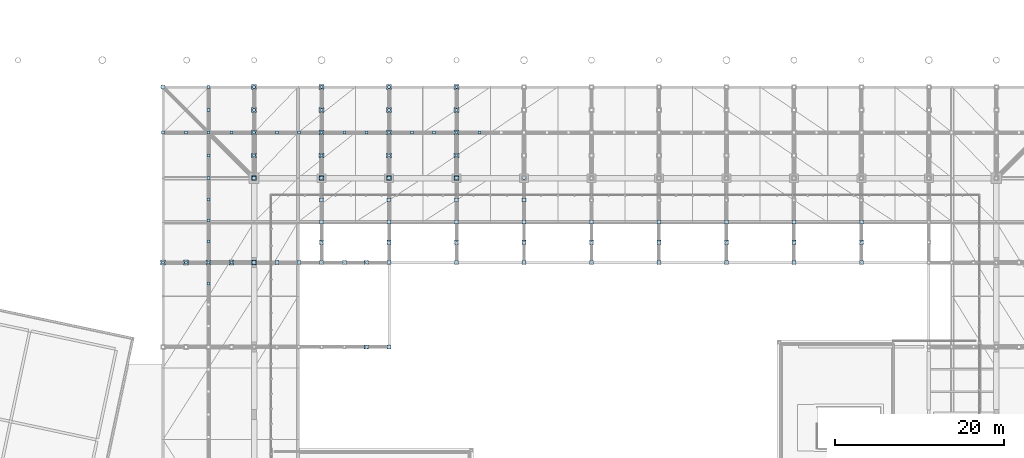
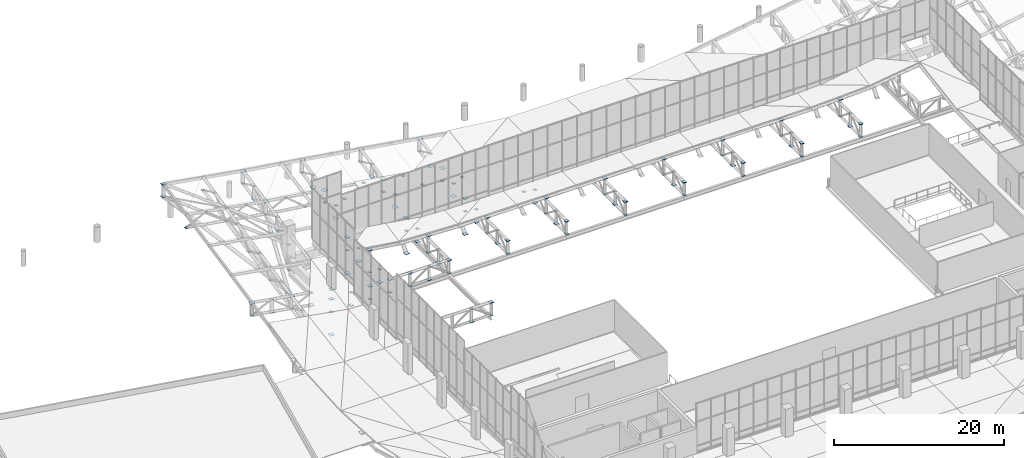
# One storey, part 117 of 137: 154 plates.
"""IFC4 building model written with IfcOpenShell, lengths in metres."""

from ifc_helpers import new_model, si_unit, direction, frame, origin, origin_2d, place, context, subcontext, project, spatial, rectangle, extrude, material, layer, layer_set, type_object, element, save


model = new_model("IFC4")

# Units and contexts
model_context = context("Model", 3, precision=1e-05, world=origin(), true_north=direction((0.0, 1.0)))
body_context = subcontext(model_context, "Body", "Model", "MODEL_VIEW")
ifc_project = project(units=[si_unit("LENGTHUNIT", "METRE"), si_unit("AREAUNIT", "SQUARE_METRE"), si_unit("VOLUMEUNIT", "CUBIC_METRE"), si_unit("PLANEANGLEUNIT", "RADIAN"), si_unit("MASSUNIT", "GRAM", prefix="KILO")], contexts=[model_context])

# Site, building, storey
site_placement = place(None, origin())
site = spatial("IfcSite", under=ifc_project, at=site_placement, CompositionType="ELEMENT")
building_placement = place(site_placement, origin())
building = spatial("IfcBuilding", under=site, at=building_placement, Name="Khorjan Park Terminus", CompositionType="ELEMENT")
storey_placement = place(building_placement, frame((0.0, 0.0, 11.4)))
storey = spatial("IfcBuildingStorey", under=building, at=storey_placement, Name="L02", CompositionType="ELEMENT", Elevation=11.4)

# Plates
ifc_material = material(Name="Steel S355", Category="steel")
ifc_layer_1 = layer(ifc_material, 0.022)
ifc_layer_set_1 = layer_set([ifc_layer_1], Name="Steel S355")
plate_type_1 = type_object("IfcPlateType", Name="PT-GUS-22", PredefinedType="SHEET", material=ifc_layer_set_1)
plate_1_placement = place(storey_placement, frame((48.0, 88.0, -0.061), z_axis=(0.0, 0.0, 1.0), x_axis=(1.0, 0.0, 0.0)))
element("IfcPlate", 1, at=plate_1_placement, inside=storey, type_object=plate_type_1, Name="Steel truss node cap plate NP-22 (RC2-GUS-END-0504)", PredefinedType="SHEET", context=body_context, shape_type="SweptSolid", body=[
    extrude(rectangle(XDim=0.49, YDim=0.49, at=origin_2d()), origin(), (0.0, 0.0, 1.0), 0.022),
])
for number, where, z_axis, x_axis, name in (
    (2, (56.0, 78.0, -1.931), (0.0, 0.0, 1.0), (1.0, 0.0, 0.0), "Steel truss node cap plate NP-22 (RC2-GUS-END-0521)"),
    (3, (56.0, 80.4, -0.061), (0.0, 0.0, 1.0), (1.0, 0.0, 0.0), "Steel truss node cap plate NP-22 (RC2-GUS-END-0522)"),
    (4, (56.0, 82.8, -1.931), (0.0, 0.0, 1.0), (1.0, 0.0, 0.0), "Steel truss node cap plate NP-22 (RC2-GUS-END-0523)"),
    (5, (56.0, 85.4, -0.061), (0.0, 0.0, 1.0), (1.0, 0.0, 0.0), "Steel truss node cap plate NP-22 (RC2-GUS-END-0524)"),
    (6, (56.0, 88.0, -1.931), (0.0, 0.0, 1.0), (1.0, 0.0, 0.0), "Steel truss node cap plate NP-22 (RC2-GUS-END-0525)"),
):
    element("IfcPlate", number, at=place(storey_placement, frame(where, z_axis=z_axis, x_axis=x_axis)), inside=storey, type_object=plate_type_1, Name=name, PredefinedType="SHEET", context=body_context, shape_type="SweptSolid", body=[
        extrude(rectangle(XDim=0.36, YDim=0.36, at=origin_2d()), origin(), (0.0, 0.0, 1.0), 0.022),
    ])
for number, where, z_axis, x_axis, name in (
    (7, (56.0, 78.0, -0.061), (0.0, 0.0, 1.0), (1.0, 0.0, 0.0), "Steel truss node cap plate NP-22 (RC2-GUS-END-0530)"),
    (8, (56.0, 80.4, -1.931), (0.0, 0.0, 1.0), (1.0, 0.0, 0.0), "Steel truss node cap plate NP-22 (RC2-GUS-END-0531)"),
    (9, (56.0, 82.8, 1.2795), (0.0, 0.0, 1.0), (1.0, 0.0, 0.0), "Steel truss node cap plate NP-22 (RC2-GUS-END-0532)"),
    (10, (56.0, 85.4, -1.931), (0.0, 0.0, 1.0), (1.0, 0.0, 0.0), "Steel truss node cap plate NP-22 (RC2-GUS-END-0533)"),
    (11, (56.0, 88.0, -0.061), (0.0, 0.0, 1.0), (1.0, 0.0, 0.0), "Steel truss node cap plate NP-22 (RC2-GUS-END-0534)"),
):
    element("IfcPlate", number, at=place(storey_placement, frame(where, z_axis=z_axis, x_axis=x_axis)), inside=storey, type_object=plate_type_1, Name=name, PredefinedType="SHEET", context=body_context, shape_type="SweptSolid", body=[
        extrude(rectangle(XDim=0.49, YDim=0.49, at=origin_2d()), origin(), (0.0, 0.0, 1.0), 0.022),
    ])
for number, where, z_axis, x_axis, name in (
    (12, (64.0, 78.0, -1.931), (0.0, 0.0, 1.0), (1.0, 0.0, 0.0), "Steel truss node cap plate NP-22 (RC2-GUS-END-0551)"),
    (13, (64.0, 80.4, -0.061), (0.0, 0.0, 1.0), (1.0, 0.0, 0.0), "Steel truss node cap plate NP-22 (RC2-GUS-END-0552)"),
    (14, (64.0, 82.8, -1.931), (0.0, 0.0, 1.0), (1.0, 0.0, 0.0), "Steel truss node cap plate NP-22 (RC2-GUS-END-0553)"),
    (15, (64.0, 85.4, -0.061), (0.0, 0.0, 1.0), (1.0, 0.0, 0.0), "Steel truss node cap plate NP-22 (RC2-GUS-END-0554)"),
    (16, (64.0, 88.0, -1.931), (0.0, 0.0, 1.0), (1.0, 0.0, 0.0), "Steel truss node cap plate NP-22 (RC2-GUS-END-0555)"),
):
    element("IfcPlate", number, at=place(storey_placement, frame(where, z_axis=z_axis, x_axis=x_axis)), inside=storey, type_object=plate_type_1, Name=name, PredefinedType="SHEET", context=body_context, shape_type="SweptSolid", body=[
        extrude(rectangle(XDim=0.36, YDim=0.36, at=origin_2d()), origin(), (0.0, 0.0, 1.0), 0.022),
    ])
for number, where, z_axis, x_axis, name in (
    (17, (64.0, 78.0, -0.061), (0.0, 0.0, 1.0), (1.0, 0.0, 0.0), "Steel truss node cap plate NP-22 (RC2-GUS-END-0560)"),
    (18, (64.0, 80.4, -1.931), (0.0, 0.0, 1.0), (1.0, 0.0, 0.0), "Steel truss node cap plate NP-22 (RC2-GUS-END-0561)"),
    (19, (64.0, 82.8, 0.5395), (0.0, 0.0, 1.0), (1.0, 0.0, 0.0), "Steel truss node cap plate NP-22 (RC2-GUS-END-0562)"),
    (20, (64.0, 85.4, -1.931), (0.0, 0.0, 1.0), (1.0, 0.0, 0.0), "Steel truss node cap plate NP-22 (RC2-GUS-END-0563)"),
    (21, (64.0, 88.0, -0.061), (0.0, 0.0, 1.0), (1.0, 0.0, 0.0), "Steel truss node cap plate NP-22 (RC2-GUS-END-0564)"),
):
    element("IfcPlate", number, at=place(storey_placement, frame(where, z_axis=z_axis, x_axis=x_axis)), inside=storey, type_object=plate_type_1, Name=name, PredefinedType="SHEET", context=body_context, shape_type="SweptSolid", body=[
        extrude(rectangle(XDim=0.49, YDim=0.49, at=origin_2d()), origin(), (0.0, 0.0, 1.0), 0.022),
    ])
for number, where, z_axis, x_axis, name in (
    (22, (72.0, 78.0, -1.931), (0.0, 0.0, 1.0), (1.0, 0.0, 0.0), "Steel truss node cap plate NP-22 (RC2-GUS-END-0589)"),
    (23, (72.0, 80.4, -0.061), (0.0, 0.0, 1.0), (1.0, 0.0, 0.0), "Steel truss node cap plate NP-22 (RC2-GUS-END-0590)"),
    (24, (72.0, 82.8, -1.931), (0.0, 0.0, 1.0), (1.0, 0.0, 0.0), "Steel truss node cap plate NP-22 (RC2-GUS-END-0591)"),
    (25, (72.0, 85.4, -0.061), (0.0, 0.0, 1.0), (1.0, 0.0, 0.0), "Steel truss node cap plate NP-22 (RC2-GUS-END-0592)"),
    (26, (72.0, 88.0, -1.931), (0.0, 0.0, 1.0), (1.0, 0.0, 0.0), "Steel truss node cap plate NP-22 (RC2-GUS-END-0593)"),
):
    element("IfcPlate", number, at=place(storey_placement, frame(where, z_axis=z_axis, x_axis=x_axis)), inside=storey, type_object=plate_type_1, Name=name, PredefinedType="SHEET", context=body_context, shape_type="SweptSolid", body=[
        extrude(rectangle(XDim=0.36, YDim=0.36, at=origin_2d()), origin(), (0.0, 0.0, 1.0), 0.022),
    ])
for number, where, z_axis, x_axis, name in (
    (27, (72.0, 78.0, -0.061), (0.0, 0.0, 1.0), (1.0, 0.0, 0.0), "Steel truss node cap plate NP-22 (RC2-GUS-END-0598)"),
    (28, (72.0, 80.4, -1.931), (0.0, 0.0, 1.0), (1.0, 0.0, 0.0), "Steel truss node cap plate NP-22 (RC2-GUS-END-0599)"),
    (29, (72.0, 82.8, 0.381), (0.0, 0.0, 1.0), (1.0, 0.0, 0.0), "Steel truss node cap plate NP-22 (RC2-GUS-END-0600)"),
    (30, (72.0, 85.4, -1.931), (0.0, 0.0, 1.0), (1.0, 0.0, 0.0), "Steel truss node cap plate NP-22 (RC2-GUS-END-0601)"),
    (31, (72.0, 88.0, -0.061), (0.0, 0.0, 1.0), (1.0, 0.0, 0.0), "Steel truss node cap plate NP-22 (RC2-GUS-END-0602)"),
):
    element("IfcPlate", number, at=place(storey_placement, frame(where, z_axis=z_axis, x_axis=x_axis)), inside=storey, type_object=plate_type_1, Name=name, PredefinedType="SHEET", context=body_context, shape_type="SweptSolid", body=[
        extrude(rectangle(XDim=0.49, YDim=0.49, at=origin_2d()), origin(), (0.0, 0.0, 1.0), 0.022),
    ])
for number, where, z_axis, x_axis, name in (
    (32, (80.0, 78.0, -1.931), (0.0, 0.0, 1.0), (1.0, 0.0, 0.0), "Steel truss node cap plate NP-22 (RC2-GUS-END-0627)"),
    (33, (80.0, 80.4, -0.061), (0.0, 0.0, 1.0), (1.0, 0.0, 0.0), "Steel truss node cap plate NP-22 (RC2-GUS-END-0628)"),
    (34, (80.0, 82.8, -1.931), (0.0, 0.0, 1.0), (1.0, 0.0, 0.0), "Steel truss node cap plate NP-22 (RC2-GUS-END-0629)"),
    (35, (80.0, 85.4, -0.061), (0.0, 0.0, 1.0), (1.0, 0.0, 0.0), "Steel truss node cap plate NP-22 (RC2-GUS-END-0630)"),
    (36, (80.0, 88.0, -1.931), (0.0, 0.0, 1.0), (1.0, 0.0, 0.0), "Steel truss node cap plate NP-22 (RC2-GUS-END-0631)"),
):
    element("IfcPlate", number, at=place(storey_placement, frame(where, z_axis=z_axis, x_axis=x_axis)), inside=storey, type_object=plate_type_1, Name=name, PredefinedType="SHEET", context=body_context, shape_type="SweptSolid", body=[
        extrude(rectangle(XDim=0.36, YDim=0.36, at=origin_2d()), origin(), (0.0, 0.0, 1.0), 0.022),
    ])
for number, where, z_axis, x_axis, name in (
    (37, (80.0, 78.0, -0.061), (0.0, 0.0, 1.0), (1.0, 0.0, 0.0), "Steel truss node cap plate NP-22 (RC2-GUS-END-0636)"),
    (38, (80.0, 80.4, -1.931), (0.0, 0.0, 1.0), (1.0, 0.0, 0.0), "Steel truss node cap plate NP-22 (RC2-GUS-END-0637)"),
    (39, (80.0, 82.8, 0.381), (0.0, 0.0, 1.0), (1.0, 0.0, 0.0), "Steel truss node cap plate NP-22 (RC2-GUS-END-0638)"),
    (40, (80.0, 85.4, -1.931), (0.0, 0.0, 1.0), (1.0, 0.0, 0.0), "Steel truss node cap plate NP-22 (RC2-GUS-END-0639)"),
):
    element("IfcPlate", number, at=place(storey_placement, frame(where, z_axis=z_axis, x_axis=x_axis)), inside=storey, type_object=plate_type_1, Name=name, PredefinedType="SHEET", context=body_context, shape_type="SweptSolid", body=[
        extrude(rectangle(XDim=0.49, YDim=0.49, at=origin_2d()), origin(), (0.0, 0.0, 1.0), 0.022),
    ])
for number, where, z_axis, x_axis, name in (
    (41, (88.0, 78.0, -1.931), (0.0, 0.0, 1.0), (1.0, 0.0, 0.0), "Steel truss node cap plate NP-22 (RC2-GUS-END-0665)"),
    (42, (88.0, 80.4, -0.061), (0.0, 0.0, 1.0), (1.0, 0.0, 0.0), "Steel truss node cap plate NP-22 (RC2-GUS-END-0666)"),
    (43, (88.0, 82.8, -1.931), (0.0, 0.0, 1.0), (1.0, 0.0, 0.0), "Steel truss node cap plate NP-22 (RC2-GUS-END-0667)"),
):
    element("IfcPlate", number, at=place(storey_placement, frame(where, z_axis=z_axis, x_axis=x_axis)), inside=storey, type_object=plate_type_1, Name=name, PredefinedType="SHEET", context=body_context, shape_type="SweptSolid", body=[
        extrude(rectangle(XDim=0.36, YDim=0.36, at=origin_2d()), origin(), (0.0, 0.0, 1.0), 0.022),
    ])
for number, where, z_axis, x_axis, name in (
    (44, (88.0, 78.0, -0.061), (0.0, 0.0, 1.0), (1.0, 0.0, 0.0), "Steel truss node cap plate NP-22 (RC2-GUS-END-0674)"),
    (45, (88.0, 80.4, -1.931), (0.0, 0.0, 1.0), (1.0, 0.0, 0.0), "Steel truss node cap plate NP-22 (RC2-GUS-END-0675)"),
    (46, (88.0, 82.8, 0.381), (0.0, 0.0, 1.0), (1.0, 0.0, 0.0), "Steel truss node cap plate NP-22 (RC2-GUS-END-0676)"),
):
    element("IfcPlate", number, at=place(storey_placement, frame(where, z_axis=z_axis, x_axis=x_axis)), inside=storey, type_object=plate_type_1, Name=name, PredefinedType="SHEET", context=body_context, shape_type="SweptSolid", body=[
        extrude(rectangle(XDim=0.49, YDim=0.49, at=origin_2d()), origin(), (0.0, 0.0, 1.0), 0.022),
    ])
for number, where, z_axis, x_axis, name in (
    (47, (96.0, 78.0, -1.931), (0.0, 0.0, 1.0), (1.0, 0.0, 0.0), "Steel truss node cap plate NP-22 (RC2-GUS-END-0703)"),
    (48, (96.0, 80.4, -0.061), (0.0, 0.0, 1.0), (1.0, 0.0, 0.0), "Steel truss node cap plate NP-22 (RC2-GUS-END-0704)"),
    (49, (96.0, 82.8, -1.931), (0.0, 0.0, 1.0), (1.0, 0.0, 0.0), "Steel truss node cap plate NP-22 (RC2-GUS-END-0705)"),
):
    element("IfcPlate", number, at=place(storey_placement, frame(where, z_axis=z_axis, x_axis=x_axis)), inside=storey, type_object=plate_type_1, Name=name, PredefinedType="SHEET", context=body_context, shape_type="SweptSolid", body=[
        extrude(rectangle(XDim=0.36, YDim=0.36, at=origin_2d()), origin(), (0.0, 0.0, 1.0), 0.022),
    ])
for number, where, z_axis, x_axis, name in (
    (50, (96.0, 78.0, -0.061), (0.0, 0.0, 1.0), (1.0, 0.0, 0.0), "Steel truss node cap plate NP-22 (RC2-GUS-END-0712)"),
    (51, (96.0, 80.4, -1.931), (0.0, 0.0, 1.0), (1.0, 0.0, 0.0), "Steel truss node cap plate NP-22 (RC2-GUS-END-0713)"),
    (52, (96.0, 82.8, 0.381), (0.0, 0.0, 1.0), (1.0, 0.0, 0.0), "Steel truss node cap plate NP-22 (RC2-GUS-END-0714)"),
):
    element("IfcPlate", number, at=place(storey_placement, frame(where, z_axis=z_axis, x_axis=x_axis)), inside=storey, type_object=plate_type_1, Name=name, PredefinedType="SHEET", context=body_context, shape_type="SweptSolid", body=[
        extrude(rectangle(XDim=0.49, YDim=0.49, at=origin_2d()), origin(), (0.0, 0.0, 1.0), 0.022),
    ])
for number, where, z_axis, x_axis, name in (
    (53, (104.0, 78.0, -1.931), (0.0, 0.0, 1.0), (1.0, 0.0, 0.0), "Steel truss node cap plate NP-22 (RC2-GUS-END-0741)"),
    (54, (104.0, 80.4, -0.061), (0.0, 0.0, 1.0), (1.0, 0.0, 0.0), "Steel truss node cap plate NP-22 (RC2-GUS-END-0742)"),
    (55, (104.0, 82.8, -1.931), (0.0, 0.0, 1.0), (1.0, 0.0, 0.0), "Steel truss node cap plate NP-22 (RC2-GUS-END-0743)"),
):
    element("IfcPlate", number, at=place(storey_placement, frame(where, z_axis=z_axis, x_axis=x_axis)), inside=storey, type_object=plate_type_1, Name=name, PredefinedType="SHEET", context=body_context, shape_type="SweptSolid", body=[
        extrude(rectangle(XDim=0.36, YDim=0.36, at=origin_2d()), origin(), (0.0, 0.0, 1.0), 0.022),
    ])
for number, where, z_axis, x_axis, name in (
    (56, (104.0, 78.0, -0.061), (0.0, 0.0, 1.0), (1.0, 0.0, 0.0), "Steel truss node cap plate NP-22 (RC2-GUS-END-0750)"),
    (57, (104.0, 80.4, -1.931), (0.0, 0.0, 1.0), (1.0, 0.0, 0.0), "Steel truss node cap plate NP-22 (RC2-GUS-END-0751)"),
    (58, (104.0, 82.8, 0.381), (0.0, 0.0, 1.0), (1.0, 0.0, 0.0), "Steel truss node cap plate NP-22 (RC2-GUS-END-0752)"),
):
    element("IfcPlate", number, at=place(storey_placement, frame(where, z_axis=z_axis, x_axis=x_axis)), inside=storey, type_object=plate_type_1, Name=name, PredefinedType="SHEET", context=body_context, shape_type="SweptSolid", body=[
        extrude(rectangle(XDim=0.49, YDim=0.49, at=origin_2d()), origin(), (0.0, 0.0, 1.0), 0.022),
    ])
for number, where, z_axis, x_axis, name in (
    (59, (112.0, 78.0, -1.931), (0.0, 0.0, 1.0), (1.0, 0.0, 0.0), "Steel truss node cap plate NP-22 (RC2-GUS-END-0779)"),
    (60, (112.0, 80.4, -0.061), (0.0, 0.0, 1.0), (1.0, 0.0, 0.0), "Steel truss node cap plate NP-22 (RC2-GUS-END-0780)"),
    (61, (112.0, 82.8, -1.931), (0.0, 0.0, 1.0), (1.0, 0.0, 0.0), "Steel truss node cap plate NP-22 (RC2-GUS-END-0781)"),
):
    element("IfcPlate", number, at=place(storey_placement, frame(where, z_axis=z_axis, x_axis=x_axis)), inside=storey, type_object=plate_type_1, Name=name, PredefinedType="SHEET", context=body_context, shape_type="SweptSolid", body=[
        extrude(rectangle(XDim=0.36, YDim=0.36, at=origin_2d()), origin(), (0.0, 0.0, 1.0), 0.022),
    ])
for number, where, z_axis, x_axis, name in (
    (62, (112.0, 78.0, -0.061), (0.0, 0.0, 1.0), (1.0, 0.0, 0.0), "Steel truss node cap plate NP-22 (RC2-GUS-END-0788)"),
    (63, (112.0, 80.4, -1.931), (0.0, 0.0, 1.0), (1.0, 0.0, 0.0), "Steel truss node cap plate NP-22 (RC2-GUS-END-0789)"),
    (64, (112.0, 82.8, 0.381), (0.0, 0.0, 1.0), (1.0, 0.0, 0.0), "Steel truss node cap plate NP-22 (RC2-GUS-END-0790)"),
):
    element("IfcPlate", number, at=place(storey_placement, frame(where, z_axis=z_axis, x_axis=x_axis)), inside=storey, type_object=plate_type_1, Name=name, PredefinedType="SHEET", context=body_context, shape_type="SweptSolid", body=[
        extrude(rectangle(XDim=0.49, YDim=0.49, at=origin_2d()), origin(), (0.0, 0.0, 1.0), 0.022),
    ])
for number, where, z_axis, x_axis, name in (
    (65, (120.0, 78.0, -1.931), (0.0, 0.0, 1.0), (1.0, 0.0, 0.0), "Steel truss node cap plate NP-22 (RC2-GUS-END-0809)"),
    (66, (120.0, 80.4, -0.061), (0.0, 0.0, 1.0), (1.0, 0.0, 0.0), "Steel truss node cap plate NP-22 (RC2-GUS-END-0810)"),
    (67, (120.0, 82.8, -1.931), (0.0, 0.0, 1.0), (1.0, 0.0, 0.0), "Steel truss node cap plate NP-22 (RC2-GUS-END-0811)"),
):
    element("IfcPlate", number, at=place(storey_placement, frame(where, z_axis=z_axis, x_axis=x_axis)), inside=storey, type_object=plate_type_1, Name=name, PredefinedType="SHEET", context=body_context, shape_type="SweptSolid", body=[
        extrude(rectangle(XDim=0.36, YDim=0.36, at=origin_2d()), origin(), (0.0, 0.0, 1.0), 0.022),
    ])
for number, where, z_axis, x_axis, name in (
    (68, (120.0, 78.0, -0.061), (0.0, 0.0, 1.0), (1.0, 0.0, 0.0), "Steel truss node cap plate NP-22 (RC2-GUS-END-0818)"),
    (69, (120.0, 80.4, -1.931), (0.0, 0.0, 1.0), (1.0, 0.0, 0.0), "Steel truss node cap plate NP-22 (RC2-GUS-END-0819)"),
    (70, (120.0, 82.8, 0.5395), (0.0, 0.0, 1.0), (1.0, 0.0, 0.0), "Steel truss node cap plate NP-22 (RC2-GUS-END-0820)"),
):
    element("IfcPlate", number, at=place(storey_placement, frame(where, z_axis=z_axis, x_axis=x_axis)), inside=storey, type_object=plate_type_1, Name=name, PredefinedType="SHEET", context=body_context, shape_type="SweptSolid", body=[
        extrude(rectangle(XDim=0.49, YDim=0.49, at=origin_2d()), origin(), (0.0, 0.0, 1.0), 0.022),
    ])
for number, where, z_axis, x_axis, name in (
    (71, (61.3, 68.0, -0.061), (0.0, 0.0, 1.0), (1.0, 0.0, 0.0), "Steel truss node cap plate NP-22 (RC2-GUS-END-1029)"),
    (72, (64.0, 68.0, -1.931), (0.0, 0.0, 1.0), (1.0, 0.0, 0.0), "Steel truss node cap plate NP-22 (RC2-GUS-END-1030)"),
):
    element("IfcPlate", number, at=place(storey_placement, frame(where, z_axis=z_axis, x_axis=x_axis)), inside=storey, type_object=plate_type_1, Name=name, PredefinedType="SHEET", context=body_context, shape_type="SweptSolid", body=[
        extrude(rectangle(XDim=0.36, YDim=0.36, at=origin_2d()), origin(), (0.0, 0.0, 1.0), 0.022),
    ])
for number, where, z_axis, x_axis, name in (
    (73, (61.3, 68.0, -1.931), (0.0, 0.0, 1.0), (1.0, 0.0, 0.0), "Steel truss node cap plate NP-22 (RC2-GUS-END-1040)"),
    (74, (64.0, 68.0, -0.061), (0.0, 0.0, 1.0), (1.0, 0.0, 0.0), "Steel truss node cap plate NP-22 (RC2-GUS-END-1041)"),
):
    element("IfcPlate", number, at=place(storey_placement, frame(where, z_axis=z_axis, x_axis=x_axis)), inside=storey, type_object=plate_type_1, Name=name, PredefinedType="SHEET", context=body_context, shape_type="SweptSolid", body=[
        extrude(rectangle(XDim=0.49, YDim=0.49, at=origin_2d()), origin(), (0.0, 0.0, 1.0), 0.022),
    ])
for number, where, z_axis, x_axis, name in (
    (75, (50.7, 78.0, -0.061), (0.0, 0.0, 1.0), (1.0, 0.0, 0.0), "Steel truss node cap plate NP-22 (RC2-GUS-END-1065)"),
    (76, (53.3, 78.0, -1.931), (0.0, 0.0, 1.0), (1.0, 0.0, 0.0), "Steel truss node cap plate NP-22 (RC2-GUS-END-1066)"),
    (77, (58.7, 78.0, -1.931), (0.0, 0.0, 1.0), (1.0, 0.0, 0.0), "Steel truss node cap plate NP-22 (RC2-GUS-END-1067)"),
    (78, (61.3, 78.0, -0.061), (0.0, 0.0, 1.0), (1.0, 0.0, 0.0), "Steel truss node cap plate NP-22 (RC2-GUS-END-1068)"),
):
    element("IfcPlate", number, at=place(storey_placement, frame(where, z_axis=z_axis, x_axis=x_axis)), inside=storey, type_object=plate_type_1, Name=name, PredefinedType="SHEET", context=body_context, shape_type="SweptSolid", body=[
        extrude(rectangle(XDim=0.36, YDim=0.36, at=origin_2d()), origin(), (0.0, 0.0, 1.0), 0.022),
    ])
for number, where, z_axis, x_axis, name in (
    (79, (48.0, 78.0, -0.061), (0.0, 0.0, 1.0), (1.0, 0.0, 0.0), "Steel truss node cap plate NP-22 (RC2-GUS-END-1073)"),
    (80, (50.7, 78.0, -1.931), (0.0, 0.0, 1.0), (1.0, 0.0, 0.0), "Steel truss node cap plate NP-22 (RC2-GUS-END-1074)"),
    (81, (53.3, 78.0, -0.061), (0.0, 0.0, 1.0), (1.0, 0.0, 0.0), "Steel truss node cap plate NP-22 (RC2-GUS-END-1075)"),
    (82, (58.7, 78.0, -0.061), (0.0, 0.0, 1.0), (1.0, 0.0, 0.0), "Steel truss node cap plate NP-22 (RC2-GUS-END-1076)"),
    (83, (61.3, 78.0, -1.931), (0.0, 0.0, 1.0), (1.0, 0.0, 0.0), "Steel truss node cap plate NP-22 (RC2-GUS-END-1077)"),
):
    element("IfcPlate", number, at=place(storey_placement, frame(where, z_axis=z_axis, x_axis=x_axis)), inside=storey, type_object=plate_type_1, Name=name, PredefinedType="SHEET", context=body_context, shape_type="SweptSolid", body=[
        extrude(rectangle(XDim=0.49, YDim=0.49, at=origin_2d()), origin(), (0.0, 0.0, 1.0), 0.022),
    ])
ifc_layer_2 = layer(ifc_material, 0.025)
ifc_layer_set_2 = layer_set([ifc_layer_2], Name="Steel S355")
plate_type_2 = type_object("IfcPlateType", Name="PT-GUSE-25", PredefinedType="SHEET", material=ifc_layer_set_2)
plate_2_placement = place(storey_placement, frame((48.0, 78.0, 1.3117), z_axis=(0.0, 0.0, 1.0), x_axis=(1.0, 0.0, 0.0)))
element("IfcPlate", 84, at=plate_2_placement, inside=storey, type_object=plate_type_2, Name="Steel truss node cap plate NPE-25 (RC2-NP-LRIM-N-48)", PredefinedType="SHEET", context=body_context, shape_type="SweptSolid", body=[
    extrude(rectangle(XDim=0.52, YDim=0.52, at=origin_2d()), origin(), (0.0, 0.0, 1.0), 0.025),
])
for number, where, z_axis, x_axis, name in (
    (85, (37.2, 98.8, 7.6075), (0.0, 0.0, 1.0), (1.0, 0.0, 0.0), "Steel truss node cap plate NPE-25 (RC2-NP-LCRN-NW)"),
    (86, (37.2, 98.8, 5.8075), (0.0, 0.0, 1.0), (1.0, 0.0, 0.0), "Steel truss node cap plate NPE-25 (RC2-NP-LCRN-B-NW)"),
):
    element("IfcPlate", number, at=place(storey_placement, frame(where, z_axis=z_axis, x_axis=x_axis)), inside=storey, type_object=plate_type_2, Name=name, PredefinedType="SHEET", context=body_context, shape_type="SweptSolid", body=[
        extrude(rectangle(XDim=0.5, YDim=0.5, at=origin_2d()), origin(), (0.0, 0.0, 1.0), 0.025),
    ])
for number, where, z_axis, x_axis, name in (
    (87, (48.0, 88.0, -1.9325), (0.0, 0.0, 1.0), (1.0, 0.0, 0.0), "Steel truss node cap plate NPE-25 (RC2-GUS-END-0499)"),
    (88, (48.0, 90.7, 4.0078), (0.0, 0.0, 1.0), (1.0, 0.0, 0.0), "Steel truss node cap plate NPE-25 (RC2-GUS-END-0500)"),
    (89, (48.0, 93.4, 2.781), (0.0, 0.0, 1.0), (1.0, 0.0, 0.0), "Steel truss node cap plate NPE-25 (RC2-GUS-END-0501)"),
    (90, (48.0, 96.1, 5.1542), (0.0, 0.0, 1.0), (1.0, 0.0, 0.0), "Steel truss node cap plate NPE-25 (RC2-GUS-END-0502)"),
    (91, (48.0, 98.8, 3.9274), (0.0, 0.0, 1.0), (1.0, 0.0, 0.0), "Steel truss node cap plate NPE-25 (RC2-GUS-END-0503)"),
):
    element("IfcPlate", number, at=place(storey_placement, frame(where, z_axis=z_axis, x_axis=x_axis)), inside=storey, type_object=plate_type_2, Name=name, PredefinedType="SHEET", context=body_context, shape_type="SweptSolid", body=[
        extrude(rectangle(XDim=0.36, YDim=0.36, at=origin_2d()), origin(), (0.0, 0.0, 1.0), 0.025),
    ])
for number, where, z_axis, x_axis, name in (
    (92, (48.0, 90.7, 2.2078), (0.0, 0.0, 1.0), (1.0, 0.0, 0.0), "Steel truss node cap plate NPE-25 (RC2-GUS-END-0505)"),
    (93, (48.0, 93.4, 4.581), (0.0, 0.0, 1.0), (1.0, 0.0, 0.0), "Steel truss node cap plate NPE-25 (RC2-GUS-END-0506)"),
    (94, (48.0, 96.1, 3.3542), (0.0, 0.0, 1.0), (1.0, 0.0, 0.0), "Steel truss node cap plate NPE-25 (RC2-GUS-END-0507)"),
    (95, (48.0, 98.8, 5.7274), (0.0, 0.0, 1.0), (1.0, 0.0, 0.0), "Steel truss node cap plate NPE-25 (RC2-GUS-END-0508)"),
    (96, (48.0, 88.0, -5.2125), (0.0, 0.0, 1.0), (1.0, 0.0, 0.0), "Steel truss node cap plate NPE-25 (RC2-GUS-END-0509)"),
):
    element("IfcPlate", number, at=place(storey_placement, frame(where, z_axis=z_axis, x_axis=x_axis)), inside=storey, type_object=plate_type_2, Name=name, PredefinedType="SHEET", context=body_context, shape_type="SweptSolid", body=[
        extrude(rectangle(XDim=0.59, YDim=0.59, at=origin_2d()), origin(), (0.0, 0.0, 1.0), 0.025),
    ])
for number, where, z_axis, x_axis, name in (
    (97, (56.0, 90.7, 2.8748), (0.0, 0.0, 1.0), (1.0, 0.0, 0.0), "Steel truss node cap plate NPE-25 (RC2-GUS-END-0526)"),
    (98, (56.0, 93.4, 1.6258), (0.0, 0.0, 1.0), (1.0, 0.0, 0.0), "Steel truss node cap plate NPE-25 (RC2-GUS-END-0527)"),
    (99, (56.0, 96.1, 3.969), (0.0, 0.0, 1.0), (1.0, 0.0, 0.0), "Steel truss node cap plate NPE-25 (RC2-GUS-END-0528)"),
    (100, (56.0, 98.8, 2.72), (0.0, 0.0, 1.0), (1.0, 0.0, 0.0), "Steel truss node cap plate NPE-25 (RC2-GUS-END-0529)"),
):
    element("IfcPlate", number, at=place(storey_placement, frame(where, z_axis=z_axis, x_axis=x_axis)), inside=storey, type_object=plate_type_2, Name=name, PredefinedType="SHEET", context=body_context, shape_type="SweptSolid", body=[
        extrude(rectangle(XDim=0.36, YDim=0.36, at=origin_2d()), origin(), (0.0, 0.0, 1.0), 0.025),
    ])
for number, where, z_axis, x_axis, name in (
    (101, (56.0, 90.7, 1.0748), (0.0, 0.0, 1.0), (1.0, 0.0, 0.0), "Steel truss node cap plate NPE-25 (RC2-GUS-END-0535)"),
    (102, (56.0, 93.4, 3.4258), (0.0, 0.0, 1.0), (1.0, 0.0, 0.0), "Steel truss node cap plate NPE-25 (RC2-GUS-END-0536)"),
    (103, (56.0, 96.1, 2.169), (0.0, 0.0, 1.0), (1.0, 0.0, 0.0), "Steel truss node cap plate NPE-25 (RC2-GUS-END-0537)"),
    (104, (56.0, 98.8, 4.52), (0.0, 0.0, 1.0), (1.0, 0.0, 0.0), "Steel truss node cap plate NPE-25 (RC2-GUS-END-0538)"),
    (105, (56.0, 88.0, -5.2125), (0.0, 0.0, 1.0), (1.0, 0.0, 0.0), "Steel truss node cap plate NPE-25 (RC2-GUS-END-0539)"),
):
    element("IfcPlate", number, at=place(storey_placement, frame(where, z_axis=z_axis, x_axis=x_axis)), inside=storey, type_object=plate_type_2, Name=name, PredefinedType="SHEET", context=body_context, shape_type="SweptSolid", body=[
        extrude(rectangle(XDim=0.59, YDim=0.59, at=origin_2d()), origin(), (0.0, 0.0, 1.0), 0.025),
    ])
for number, where, z_axis, x_axis, name in (
    (106, (64.0, 90.7, 1.6398), (0.0, 0.0, 1.0), (1.0, 0.0, 0.0), "Steel truss node cap plate NPE-25 (RC2-GUS-END-0556)"),
    (107, (64.0, 93.4, 0.3813), (0.0, 0.0, 1.0), (1.0, 0.0, 0.0), "Steel truss node cap plate NPE-25 (RC2-GUS-END-0557)"),
    (108, (64.0, 96.1, 2.7228), (0.0, 0.0, 1.0), (1.0, 0.0, 0.0), "Steel truss node cap plate NPE-25 (RC2-GUS-END-0558)"),
    (109, (64.0, 98.8, 1.4643), (0.0, 0.0, 1.0), (1.0, 0.0, 0.0), "Steel truss node cap plate NPE-25 (RC2-GUS-END-0559)"),
):
    element("IfcPlate", number, at=place(storey_placement, frame(where, z_axis=z_axis, x_axis=x_axis)), inside=storey, type_object=plate_type_2, Name=name, PredefinedType="SHEET", context=body_context, shape_type="SweptSolid", body=[
        extrude(rectangle(XDim=0.36, YDim=0.36, at=origin_2d()), origin(), (0.0, 0.0, 1.0), 0.025),
    ])
for number, where, z_axis, x_axis, name in (
    (110, (64.0, 90.7, -0.1602), (0.0, 0.0, 1.0), (1.0, 0.0, 0.0), "Steel truss node cap plate NPE-25 (RC2-GUS-END-0565)"),
    (111, (64.0, 93.4, 2.1813), (0.0, 0.0, 1.0), (1.0, 0.0, 0.0), "Steel truss node cap plate NPE-25 (RC2-GUS-END-0566)"),
    (112, (64.0, 96.1, 0.9228), (0.0, 0.0, 1.0), (1.0, 0.0, 0.0), "Steel truss node cap plate NPE-25 (RC2-GUS-END-0567)"),
    (113, (64.0, 98.8, 3.2643), (0.0, 0.0, 1.0), (1.0, 0.0, 0.0), "Steel truss node cap plate NPE-25 (RC2-GUS-END-0568)"),
    (114, (64.0, 88.0, -5.2125), (0.0, 0.0, 1.0), (1.0, 0.0, 0.0), "Steel truss node cap plate NPE-25 (RC2-GUS-END-0569)"),
):
    element("IfcPlate", number, at=place(storey_placement, frame(where, z_axis=z_axis, x_axis=x_axis)), inside=storey, type_object=plate_type_2, Name=name, PredefinedType="SHEET", context=body_context, shape_type="SweptSolid", body=[
        extrude(rectangle(XDim=0.59, YDim=0.59, at=origin_2d()), origin(), (0.0, 0.0, 1.0), 0.025),
    ])
for number, where, z_axis, x_axis, name in (
    (115, (72.0, 90.7, 0.4183), (0.0, 0.0, 1.0), (1.0, 0.0, 0.0), "Steel truss node cap plate NPE-25 (RC2-GUS-END-0594)"),
    (116, (72.0, 93.4, -0.8401), (0.0, 0.0, 1.0), (1.0, 0.0, 0.0), "Steel truss node cap plate NPE-25 (RC2-GUS-END-0595)"),
    (117, (72.0, 96.1, 1.4406), (0.0, 0.0, 1.0), (1.0, 0.0, 0.0), "Steel truss node cap plate NPE-25 (RC2-GUS-END-0596)"),
    (118, (72.0, 98.8, 0.1822), (0.0, 0.0, 1.0), (1.0, 0.0, 0.0), "Steel truss node cap plate NPE-25 (RC2-GUS-END-0597)"),
):
    element("IfcPlate", number, at=place(storey_placement, frame(where, z_axis=z_axis, x_axis=x_axis)), inside=storey, type_object=plate_type_2, Name=name, PredefinedType="SHEET", context=body_context, shape_type="SweptSolid", body=[
        extrude(rectangle(XDim=0.36, YDim=0.36, at=origin_2d()), origin(), (0.0, 0.0, 1.0), 0.025),
    ])
for number, where, z_axis, x_axis, name in (
    (119, (72.0, 90.7, -1.3817), (0.0, 0.0, 1.0), (1.0, 0.0, 0.0), "Steel truss node cap plate NPE-25 (RC2-GUS-END-0603)"),
    (120, (72.0, 93.4, 0.9599), (0.0, 0.0, 1.0), (1.0, 0.0, 0.0), "Steel truss node cap plate NPE-25 (RC2-GUS-END-0604)"),
    (121, (72.0, 96.1, -0.3594), (0.0, 0.0, 1.0), (1.0, 0.0, 0.0), "Steel truss node cap plate NPE-25 (RC2-GUS-END-0605)"),
    (122, (72.0, 98.8, 1.9822), (0.0, 0.0, 1.0), (1.0, 0.0, 0.0), "Steel truss node cap plate NPE-25 (RC2-GUS-END-0606)"),
    (123, (72.0, 88.0, -5.2125), (0.0, 0.0, 1.0), (1.0, 0.0, 0.0), "Steel truss node cap plate NPE-25 (RC2-GUS-END-0607)"),
):
    element("IfcPlate", number, at=place(storey_placement, frame(where, z_axis=z_axis, x_axis=x_axis)), inside=storey, type_object=plate_type_2, Name=name, PredefinedType="SHEET", context=body_context, shape_type="SweptSolid", body=[
        extrude(rectangle(XDim=0.59, YDim=0.59, at=origin_2d()), origin(), (0.0, 0.0, 1.0), 0.025),
    ])
for number, where, z_axis, x_axis, name in (
    (124, (37.2, 93.4, 4.6131), (0.0, 0.0, 1.0), (1.0, 0.0, 0.0), "Steel truss node cap plate NPE-25 (RC2-GUS-END-0910)"),
    (125, (39.9, 93.4, 5.9551), (0.0, 0.0, 1.0), (1.0, 0.0, 0.0), "Steel truss node cap plate NPE-25 (RC2-GUS-END-0911)"),
    (126, (42.6, 93.4, 3.6971), (0.0, 0.0, 1.0), (1.0, 0.0, 0.0), "Steel truss node cap plate NPE-25 (RC2-GUS-END-0912)"),
    (127, (45.3, 93.4, 5.039), (0.0, 0.0, 1.0), (1.0, 0.0, 0.0), "Steel truss node cap plate NPE-25 (RC2-GUS-END-0913)"),
    (128, (50.7, 93.4, 4.2005), (0.0, 0.0, 1.0), (1.0, 0.0, 0.0), "Steel truss node cap plate NPE-25 (RC2-GUS-END-0914)"),
    (129, (53.3, 93.4, 2.0331), (0.0, 0.0, 1.0), (1.0, 0.0, 0.0), "Steel truss node cap plate NPE-25 (RC2-GUS-END-0915)"),
    (130, (58.7, 93.4, 1.2185), (0.0, 0.0, 1.0), (1.0, 0.0, 0.0), "Steel truss node cap plate NPE-25 (RC2-GUS-END-0916)"),
    (131, (61.3, 93.4, 2.614), (0.0, 0.0, 1.0), (1.0, 0.0, 0.0), "Steel truss node cap plate NPE-25 (RC2-GUS-END-0917)"),
    (132, (66.7, 93.4, 1.7486), (0.0, 0.0, 1.0), (1.0, 0.0, 0.0), "Steel truss node cap plate NPE-25 (RC2-GUS-END-0918)"),
    (133, (69.3, 93.4, -0.4484), (0.0, 0.0, 1.0), (1.0, 0.0, 0.0), "Steel truss node cap plate NPE-25 (RC2-GUS-END-0919)"),
    (134, (74.7, 93.4, -1.2319), (0.0, 0.0, 1.0), (1.0, 0.0, 0.0), "Steel truss node cap plate NPE-25 (RC2-GUS-END-0920)"),
    (135, (37.2, 78.0, 1.3439), (0.0, 0.0, 1.0), (1.0, 0.0, 0.0), "Steel truss node cap plate NPE-25 (RC2-GUS-END-1060)"),
    (136, (39.9, 78.0, 2.6858), (0.0, 0.0, 1.0), (1.0, 0.0, 0.0), "Steel truss node cap plate NPE-25 (RC2-GUS-END-1061)"),
    (137, (42.6, 78.0, 0.4278), (0.0, 0.0, 1.0), (1.0, 0.0, 0.0), "Steel truss node cap plate NPE-25 (RC2-GUS-END-1062)"),
    (138, (45.3, 78.0, 1.7697), (0.0, 0.0, 1.0), (1.0, 0.0, 0.0), "Steel truss node cap plate NPE-25 (RC2-GUS-END-1063)"),
    (139, (48.0, 78.0, -1.9325), (0.0, 0.0, 1.0), (1.0, 0.0, 0.0), "Steel truss node cap plate NPE-25 (RC2-GUS-END-1064)"),
):
    element("IfcPlate", number, at=place(storey_placement, frame(where, z_axis=z_axis, x_axis=x_axis)), inside=storey, type_object=plate_type_2, Name=name, PredefinedType="SHEET", context=body_context, shape_type="SweptSolid", body=[
        extrude(rectangle(XDim=0.36, YDim=0.36, at=origin_2d()), origin(), (0.0, 0.0, 1.0), 0.025),
    ])
for number, where, z_axis, x_axis, name in (
    (140, (37.2, 78.0, 3.1439), (0.0, 0.0, 1.0), (1.0, 0.0, 0.0), "Steel truss node cap plate NPE-25 (RC2-GUS-END-1069)"),
    (141, (39.9, 78.0, 0.8858), (0.0, 0.0, 1.0), (1.0, 0.0, 0.0), "Steel truss node cap plate NPE-25 (RC2-GUS-END-1070)"),
    (142, (42.6, 78.0, 2.2278), (0.0, 0.0, 1.0), (1.0, 0.0, 0.0), "Steel truss node cap plate NPE-25 (RC2-GUS-END-1071)"),
    (143, (45.3, 78.0, -0.0303), (0.0, 0.0, 1.0), (1.0, 0.0, 0.0), "Steel truss node cap plate NPE-25 (RC2-GUS-END-1072)"),
    (144, (48.0, 78.0, -5.2125), (0.0, 0.0, 1.0), (1.0, 0.0, 0.0), "Steel truss node cap plate NPE-25 (RC2-GUS-END-1078)"),
):
    element("IfcPlate", number, at=place(storey_placement, frame(where, z_axis=z_axis, x_axis=x_axis)), inside=storey, type_object=plate_type_2, Name=name, PredefinedType="SHEET", context=body_context, shape_type="SweptSolid", body=[
        extrude(rectangle(XDim=0.59, YDim=0.59, at=origin_2d()), origin(), (0.0, 0.0, 1.0), 0.025),
    ])
for number, where, z_axis, x_axis, name in (
    (145, (42.6, 75.5, 1.697), (0.0, 0.0, 1.0), (1.0, 0.0, 0.0), "Steel truss node cap plate NPE-25 (RC2-GUS-END-1113)"),
    (146, (42.6, 80.5, 2.7585), (0.0, 0.0, 1.0), (1.0, 0.0, 0.0), "Steel truss node cap plate NPE-25 (RC2-GUS-END-1114)"),
    (147, (42.6, 83.0, 1.4893), (0.0, 0.0, 1.0), (1.0, 0.0, 0.0), "Steel truss node cap plate NPE-25 (RC2-GUS-END-1115)"),
    (148, (42.6, 85.5, 3.82), (0.0, 0.0, 1.0), (1.0, 0.0, 0.0), "Steel truss node cap plate NPE-25 (RC2-GUS-END-1116)"),
    (149, (42.6, 88.0, 2.5507), (0.0, 0.0, 1.0), (1.0, 0.0, 0.0), "Steel truss node cap plate NPE-25 (RC2-GUS-END-1117)"),
    (150, (42.6, 90.7, 4.9239), (0.0, 0.0, 1.0), (1.0, 0.0, 0.0), "Steel truss node cap plate NPE-25 (RC2-GUS-END-1118)"),
    (151, (42.6, 96.1, 6.0702), (0.0, 0.0, 1.0), (1.0, 0.0, 0.0), "Steel truss node cap plate NPE-25 (RC2-GUS-END-1119)"),
    (152, (42.6, 98.8, 4.8434), (0.0, 0.0, 1.0), (1.0, 0.0, 0.0), "Steel truss node cap plate NPE-25 (RC2-GUS-END-1120)"),
    (153, (48.0, 88.0, 1.6826), (0.0, 0.0, 1.0), (1.0, 0.0, 0.0), "Steel truss node cap plate NPE-25 (RC2-GUS-END-1153)"),
    (154, (42.6, 93.4, 5.5451), (0.0, 0.0, 1.0), (1.0, 0.0, 0.0), "Steel truss node cap plate NPE-25 (RC2-GUS-END-1154)"),
):
    element("IfcPlate", number, at=place(storey_placement, frame(where, z_axis=z_axis, x_axis=x_axis)), inside=storey, type_object=plate_type_2, Name=name, PredefinedType="SHEET", context=body_context, shape_type="SweptSolid", body=[
        extrude(rectangle(XDim=0.36, YDim=0.36, at=origin_2d()), origin(), (0.0, 0.0, 1.0), 0.025),
    ])

save(model, "model.ifc")
